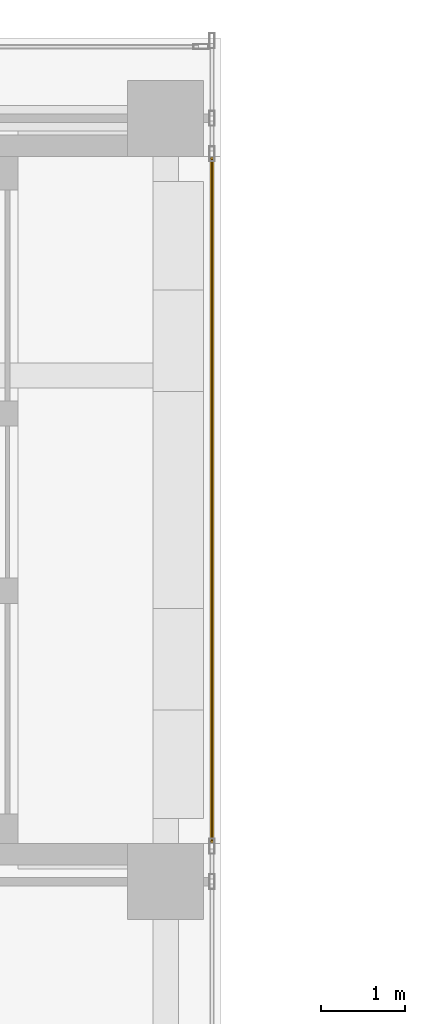
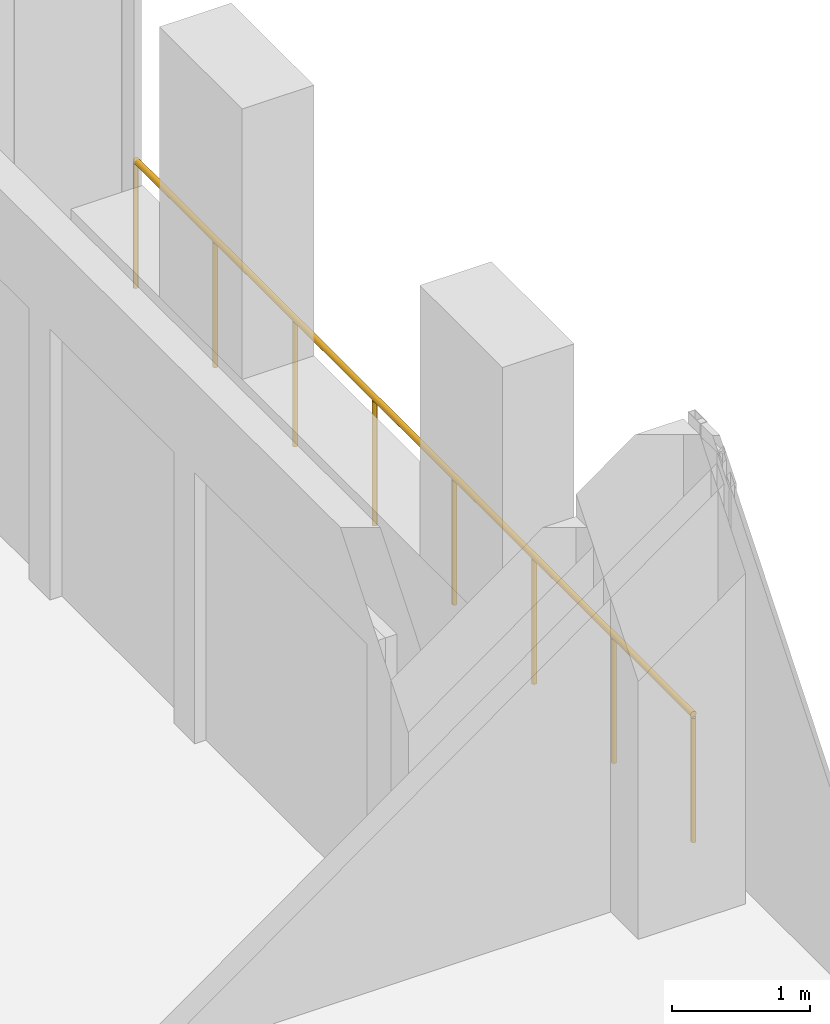
# One storey, part 33 of 34: 1 railing.
"""IFC4 building model written with IfcOpenShell, lengths in metres."""

from ifc_helpers import new_model, si_unit, direction, frame, origin, origin_2d, place, context, subcontext, project, spatial, circle, extrude, source, transform, mapped, material, type_object, element, save


model = new_model("IFC4")

# Units and contexts
model_context = context("Model", 3, precision=1e-05, world=origin(), true_north=direction((0.0, 1.0)))
body_context = subcontext(model_context, "Body", "Model", "MODEL_VIEW")
ifc_project = project(units=[si_unit("LENGTHUNIT", "METRE"), si_unit("AREAUNIT", "SQUARE_METRE"), si_unit("VOLUMEUNIT", "CUBIC_METRE"), si_unit("PLANEANGLEUNIT", "RADIAN"), si_unit("MASSUNIT", "GRAM", prefix="KILO")], contexts=[model_context])

# Site, building, storey
site_placement = place(None, origin())
site = spatial("IfcSite", under=ifc_project, at=site_placement, CompositionType="ELEMENT")
building_placement = place(site_placement, origin())
building = spatial("IfcBuilding", under=site, at=building_placement, Name="Khomas Fold Tower", CompositionType="ELEMENT")
storey_placement = place(building_placement, frame((0.0, 0.0, 254.199951171875)))
storey = spatial("IfcBuildingStorey", under=building, at=storey_placement, Name="L57", CompositionType="ELEMENT", Elevation=254.199951171875)

# Railing
ifc_material = material(Name="Powder-coated steel", Category="steel")
railing_type = type_object("IfcRailingType", Name="Balcony guard", PredefinedType="GUARDRAIL", material=ifc_material)
shared_shape = source(origin(), body_context, "Body", "SweptSolid", [
    extrude(circle(Radius=0.02490234375, at=origin_2d()), frame((0.0, 0.0, 1.125), z_axis=(0.0, 1.0, 0.0), x_axis=(-1.0, 0.0, 0.0)), (0.0, 0.0, 1.0), 8.090087890625),
    extrude(circle(Radius=0.02001953125, at=origin_2d()), origin(), (0.0, 0.0, 1.0), 1.099853515625),
    extrude(circle(Radius=0.02001953125, at=origin_2d()), frame((0.0, 1.15576171875, 0.0)), (0.0, 0.0, 1.0), 1.099853515625),
    extrude(circle(Radius=0.02001953125, at=origin_2d()), frame((0.0, 2.3115234375, 0.0)), (0.0, 0.0, 1.0), 1.099853515625),
    extrude(circle(Radius=0.02001953125, at=origin_2d()), frame((0.0, 3.46728515625, 0.0)), (0.0, 0.0, 1.0), 1.099853515625),
    extrude(circle(Radius=0.02001953125, at=origin_2d()), frame((0.0, 4.622802734375, 0.0)), (0.0, 0.0, 1.0), 1.099853515625),
    extrude(circle(Radius=0.02001953125, at=origin_2d()), frame((0.0, 5.778564453125, 0.0)), (0.0, 0.0, 1.0), 1.099853515625),
    extrude(circle(Radius=0.02001953125, at=origin_2d()), frame((0.0, 6.934326171875, 0.0)), (0.0, 0.0, 1.0), 1.099853515625),
    extrude(circle(Radius=0.02001953125, at=origin_2d()), frame((0.0, 8.090087890625, 0.0)), (0.0, 0.0, 1.0), 1.099853515625),
])
railing_placement = place(storey_placement, frame((49.39990234375, 34.97998046875, -0.044921875)))
element("IfcRailing", 1, at=railing_placement, inside=storey, type_object=railing_type, Name="Balcony guard BAL-L57-E4", PredefinedType="GUARDRAIL", context=body_context, shape_type="MappedRepresentation", body=[
    mapped(shared_shape, transform((0.0, 0.0, 0.0))),
])

save(model, "model.ifc")
